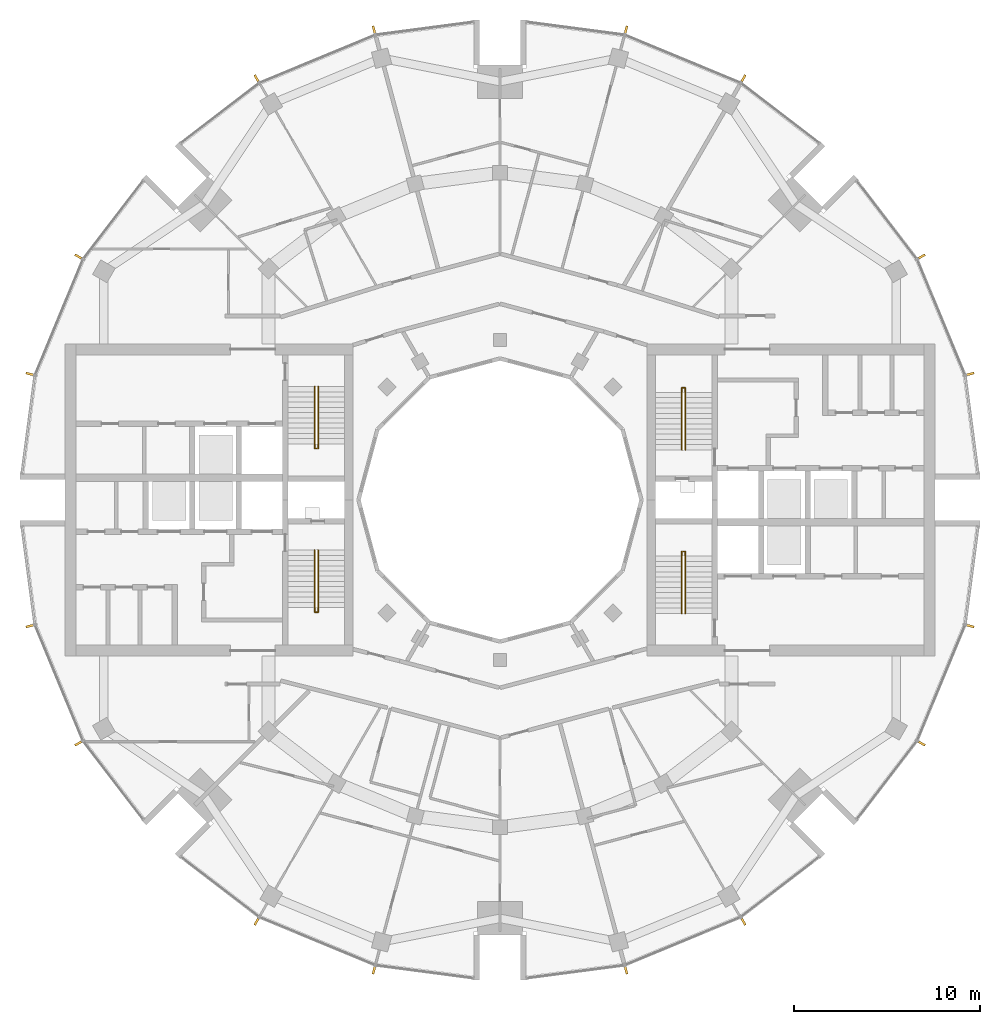
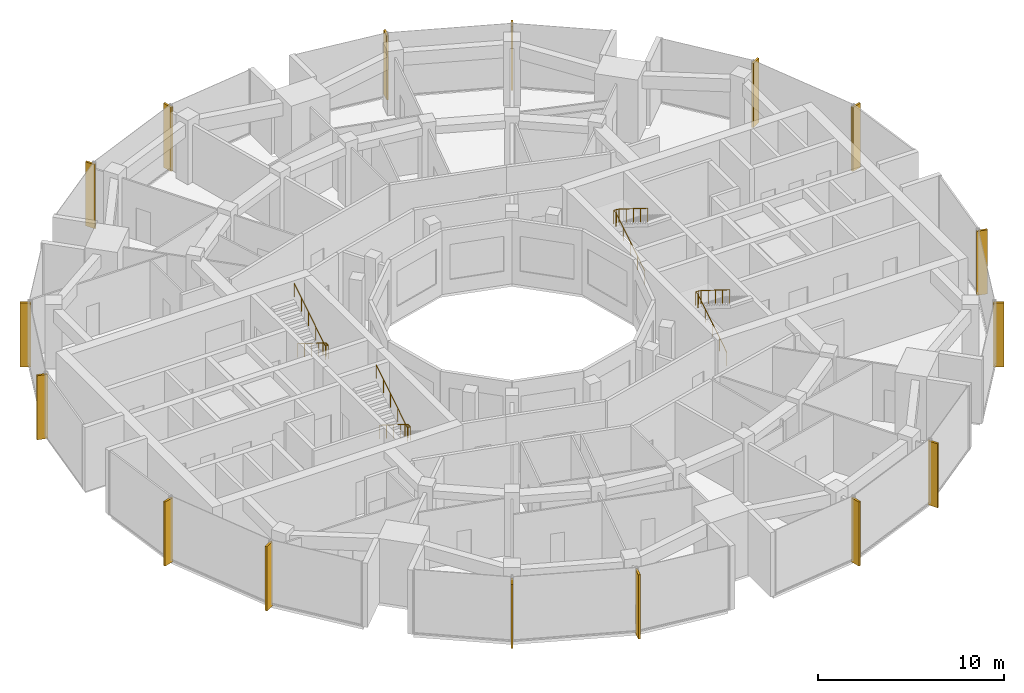
# One storey, part 14 of 15: 16 shading devices, 4 railings.
"""IFC4 building model written with IfcOpenShell, lengths in metres."""

from ifc_helpers import new_model, si_unit, direction, frame, origin, origin_2d, place, context, subcontext, project, spatial, rectangle, circle, extrude, material, material_profile, profile_set, type_object, element, save


model = new_model("IFC4")

# Units and contexts
model_context = context("Model", 3, precision=1e-05, world=origin(), true_north=direction((0.0, 1.0)))
body_context = subcontext(model_context, "Body", "Model", "MODEL_VIEW")
ifc_project = project(units=[si_unit("LENGTHUNIT", "METRE"), si_unit("AREAUNIT", "SQUARE_METRE"), si_unit("VOLUMEUNIT", "CUBIC_METRE"), si_unit("PLANEANGLEUNIT", "RADIAN"), si_unit("MASSUNIT", "GRAM", prefix="KILO")], contexts=[model_context])

# Site, building, storey
site_placement = place(None, origin())
site = spatial("IfcSite", under=ifc_project, at=site_placement, CompositionType="ELEMENT")
building_placement = place(site_placement, origin())
building = spatial("IfcBuilding", under=site, at=building_placement, Name="Torre Brocal", CompositionType="ELEMENT")
storey_placement = place(building_placement, frame((0.0, 0.0, 249.89990234375)))
storey = spatial("IfcBuildingStorey", under=building, at=storey_placement, Name="L57", CompositionType="ELEMENT", Elevation=249.89990234375)

# Shading devices
ifc_material_1 = material(Name="Aluminium, black anodised", Category="aluminium")
ifc_material_profile = material_profile(ifc_material_1, rectangle(XDim=0.1201171875, YDim=0.60009765625, at=origin_2d()), Name="FIN 120X600 4200 HIGH")
ifc_profile_set = profile_set([ifc_material_profile], Name="Aluminium, black anodised")
shading_device_type = type_object("IfcShadingDeviceType", Name="FIN 120X600 4200 HIGH", PredefinedType="USERDEFINED", material=ifc_profile_set)
for number, where, z_axis, x_axis, name in (
    (1, (105.208984375, 81.754638671875, -0.14990234375), (0.0, 0.0, 1.0), (-0.258819045103, 0.965925826289, 0.0), "FIN"),
    (2, (102.601806640625, 88.049072265625, -0.14990234375), (0.0, 0.0, 1.0), (-0.5, 0.866025403784, 0.0), "FIN"),
    (3, (93.049072265625, 97.601806640625, -0.14990234375), (0.0, 0.0, 1.0), (-0.866025403784, 0.5, 0.0), "FIN"),
    (4, (86.754638671875, 100.208984375, -0.14990234375), (0.0, 0.0, 1.0), (-0.965925826289, 0.258819045103, 0.0), "FIN"),
    (5, (73.245361328125, 100.208984375, -0.14990234375), (0.0, 0.0, 1.0), (-0.965925826289, -0.258819045103, 0.0), "FIN"),
    (6, (66.950927734375, 97.601806640625, -0.14990234375), (0.0, 0.0, 1.0), (-0.866025403784, -0.5, 0.0), "FIN"),
    (7, (57.398193359375, 88.049072265625, -0.14990234375), (0.0, 0.0, 1.0), (-0.5, -0.866025403784, 0.0), "FIN"),
    (8, (54.791015625, 81.754638671875, -0.14990234375), (0.0, 0.0, 1.0), (-0.258819045103, -0.965925826289, 0.0), "FIN"),
    (9, (54.791015625, 68.245361328125, -0.14990234375), (0.0, 0.0, 1.0), (0.258819045103, -0.965925826289, 0.0), "FIN"),
    (10, (57.398193359375, 61.950927734375, -0.14990234375), (0.0, 0.0, 1.0), (0.5, -0.866025403784, 0.0), "FIN"),
    (11, (66.950927734375, 52.398193359375, -0.14990234375), (0.0, 0.0, 1.0), (0.866025403784, -0.5, 0.0), "FIN"),
    (12, (73.245361328125, 49.791015625, -0.14990234375), (0.0, 0.0, 1.0), (0.965925826289, -0.258819045103, 0.0), "FIN"),
    (13, (86.754638671875, 49.791015625, -0.14990234375), (0.0, 0.0, 1.0), (0.965925826289, 0.258819045103, 0.0), "FIN"),
    (14, (93.049072265625, 52.398193359375, -0.14990234375), (0.0, 0.0, 1.0), (0.866025403784, 0.5, 0.0), "FIN"),
    (15, (102.601806640625, 61.950927734375, -0.14990234375), (0.0, 0.0, 1.0), (0.5, 0.866025403784, 0.0), "FIN"),
    (16, (105.208984375, 68.245361328125, -0.14990234375), (0.0, 0.0, 1.0), (0.258819045103, 0.965925826289, 0.0), "FIN"),
):
    element("IfcShadingDevice", number, at=place(storey_placement, frame(where, z_axis=z_axis, x_axis=x_axis)), inside=storey, type_object=shading_device_type, Name=name, ObjectType="FIN", PredefinedType="USERDEFINED", context=body_context, shape_type="SweptSolid", body=[
        extrude(rectangle(XDim=0.1201171875, YDim=0.60009765625, at=origin_2d()), origin(), (0.0, 0.0, 1.0), 4.199951171875),
    ])

# Railings
ifc_material_2 = material(Name="Stainless steel AISI 316", Category="steel")
railing_type = type_object("IfcRailingType", Name="STAIR HANDRAIL", PredefinedType="HANDRAIL", material=ifc_material_2)
railing_1_placement = place(storey_placement, frame((89.780029296875, 77.699951171875, 0.175048828125)))
element("IfcRailing", 17, at=railing_1_placement, inside=storey, type_object=railing_type, Name="HANDRAIL ST1", PredefinedType="HANDRAIL", context=body_context, shape_type="SweptSolid", body=[
    extrude(circle(Radius=0.02392578125, at=origin_2d()), frame((0.0, 0.0, 0.8759765625), z_axis=(0.0, 0.847998304005, 0.529998940003), x_axis=(-1.0, 0.0, 0.0)), (0.0, 0.0, 1.0), 3.632080078125),
    extrude(circle(Radius=0.02392578125, at=origin_2d()), frame((0.0, 3.080078125, 2.80078125), z_axis=(0.0, 1.0, 0.0), x_axis=(-1.0, 0.0, 0.0)), (0.0, 0.0, 1.0), 0.25),
    extrude(circle(Radius=0.02392578125, at=origin_2d()), frame((0.0, 3.330078125, 2.80078125), z_axis=(1.0, 0.0, 0.0), x_axis=(0.0, 1.0, 0.0)), (0.0, 0.0, 1.0), 0.18994140625),
    extrude(circle(Radius=0.02392578125, at=origin_2d()), frame((0.18994140625, 3.330078125, 2.80078125), z_axis=(0.0, -0.819156749665, 0.573569716318), x_axis=(1.0, 0.0, 0.0)), (0.0, 0.0, 1.0), 0.30517578125),
    extrude(circle(Radius=0.02392578125, at=origin_2d()), frame((0.18994140625, 3.080078125, 2.97607421875), z_axis=(0.0, -0.847998304005, 0.529998940003), x_axis=(1.0, 0.0, 0.0)), (0.0, 0.0, 1.0), 3.632080078125),
    extrude(circle(Radius=0.02099609375, at=origin_2d()), origin(), (0.0, 0.0, 1.0), 0.851806640625),
    extrude(circle(Radius=0.02099609375, at=origin_2d()), frame((0.0, 0.77001953125, 0.481201171875)), (0.0, 0.0, 1.0), 0.851806640625),
    extrude(circle(Radius=0.02099609375, at=origin_2d()), frame((0.0, 1.5400390625, 0.96240234375)), (0.0, 0.0, 1.0), 0.851806640625),
    extrude(circle(Radius=0.02099609375, at=origin_2d()), frame((0.0, 2.31005859375, 1.44384765625)), (0.0, 0.0, 1.0), 0.851806640625),
    extrude(circle(Radius=0.02099609375, at=origin_2d()), frame((0.0, 3.080078125, 1.925048828125)), (0.0, 0.0, 1.0), 0.851806640625),
    extrude(circle(Radius=0.02099609375, at=origin_2d()), frame((0.0, 3.330078125, 1.925048828125)), (0.0, 0.0, 1.0), 0.851806640625),
    extrude(circle(Radius=0.02099609375, at=origin_2d()), frame((0.18994140625, 3.330078125, 1.925048828125)), (0.0, 0.0, 1.0), 0.851806640625),
    extrude(circle(Radius=0.02099609375, at=origin_2d()), frame((0.18994140625, 3.080078125, 2.10009765625)), (0.0, 0.0, 1.0), 0.851806640625),
    extrude(circle(Radius=0.02099609375, at=origin_2d()), frame((0.18994140625, 2.31005859375, 2.581298828125)), (0.0, 0.0, 1.0), 0.851806640625),
    extrude(circle(Radius=0.02099609375, at=origin_2d()), frame((0.18994140625, 1.5400390625, 3.0625)), (0.0, 0.0, 1.0), 0.851806640625),
    extrude(circle(Radius=0.02099609375, at=origin_2d()), frame((0.18994140625, 0.77001953125, 3.5439453125)), (0.0, 0.0, 1.0), 0.851806640625),
    extrude(circle(Radius=0.02099609375, at=origin_2d()), frame((0.18994140625, 0.0, 4.025146484375)), (0.0, 0.0, 1.0), 0.851806640625),
])
railing_2_placement = place(storey_placement, frame((89.780029296875, 68.89990234375, 0.175048828125)))
element("IfcRailing", 18, at=railing_2_placement, inside=storey, type_object=railing_type, Name="HANDRAIL ST2", PredefinedType="HANDRAIL", context=body_context, shape_type="SweptSolid", body=[
    extrude(circle(Radius=0.02392578125, at=origin_2d()), frame((0.0, 0.0, 0.8759765625), z_axis=(0.0, 0.847998304005, 0.529998940003), x_axis=(-1.0, 0.0, 0.0)), (0.0, 0.0, 1.0), 3.632080078125),
    extrude(circle(Radius=0.02392578125, at=origin_2d()), frame((0.0, 3.080078125, 2.80078125), z_axis=(0.0, 1.0, 0.0), x_axis=(-1.0, 0.0, 0.0)), (0.0, 0.0, 1.0), 0.25),
    extrude(circle(Radius=0.02392578125, at=origin_2d()), frame((0.0, 3.330078125, 2.80078125), z_axis=(1.0, 0.0, 0.0), x_axis=(0.0, 1.0, 0.0)), (0.0, 0.0, 1.0), 0.18994140625),
    extrude(circle(Radius=0.02392578125, at=origin_2d()), frame((0.18994140625, 3.330078125, 2.80078125), z_axis=(0.0, -0.819156749665, 0.573569716318), x_axis=(1.0, 0.0, 0.0)), (0.0, 0.0, 1.0), 0.30517578125),
    extrude(circle(Radius=0.02392578125, at=origin_2d()), frame((0.18994140625, 3.080078125, 2.97607421875), z_axis=(0.0, -0.847998304005, 0.529998940003), x_axis=(1.0, 0.0, 0.0)), (0.0, 0.0, 1.0), 3.632080078125),
    extrude(circle(Radius=0.02099609375, at=origin_2d()), origin(), (0.0, 0.0, 1.0), 0.851806640625),
    extrude(circle(Radius=0.02099609375, at=origin_2d()), frame((0.0, 0.77001953125, 0.481201171875)), (0.0, 0.0, 1.0), 0.851806640625),
    extrude(circle(Radius=0.02099609375, at=origin_2d()), frame((0.0, 1.5400390625, 0.96240234375)), (0.0, 0.0, 1.0), 0.851806640625),
    extrude(circle(Radius=0.02099609375, at=origin_2d()), frame((0.0, 2.31005859375, 1.44384765625)), (0.0, 0.0, 1.0), 0.851806640625),
    extrude(circle(Radius=0.02099609375, at=origin_2d()), frame((0.0, 3.080078125, 1.925048828125)), (0.0, 0.0, 1.0), 0.851806640625),
    extrude(circle(Radius=0.02099609375, at=origin_2d()), frame((0.0, 3.330078125, 1.925048828125)), (0.0, 0.0, 1.0), 0.851806640625),
    extrude(circle(Radius=0.02099609375, at=origin_2d()), frame((0.18994140625, 3.330078125, 1.925048828125)), (0.0, 0.0, 1.0), 0.851806640625),
    extrude(circle(Radius=0.02099609375, at=origin_2d()), frame((0.18994140625, 3.080078125, 2.10009765625)), (0.0, 0.0, 1.0), 0.851806640625),
    extrude(circle(Radius=0.02099609375, at=origin_2d()), frame((0.18994140625, 2.31005859375, 2.581298828125)), (0.0, 0.0, 1.0), 0.851806640625),
    extrude(circle(Radius=0.02099609375, at=origin_2d()), frame((0.18994140625, 1.5400390625, 3.0625)), (0.0, 0.0, 1.0), 0.851806640625),
    extrude(circle(Radius=0.02099609375, at=origin_2d()), frame((0.18994140625, 0.77001953125, 3.5439453125)), (0.0, 0.0, 1.0), 0.851806640625),
    extrude(circle(Radius=0.02099609375, at=origin_2d()), frame((0.18994140625, 0.0, 4.025146484375)), (0.0, 0.0, 1.0), 0.851806640625),
])
railing_3_placement = place(storey_placement, frame((70.219970703125, 72.300048828125, 0.175048828125)))
element("IfcRailing", 19, at=railing_3_placement, inside=storey, type_object=railing_type, Name="HANDRAIL ST3", PredefinedType="HANDRAIL", context=body_context, shape_type="SweptSolid", body=[
    extrude(circle(Radius=0.02392578125, at=origin_2d()), frame((0.0, 0.0, 0.8759765625), z_axis=(0.0, -0.847998304005, 0.529998940003), x_axis=(1.0, 0.0, 0.0)), (0.0, 0.0, 1.0), 3.632080078125),
    extrude(circle(Radius=0.02392578125, at=origin_2d()), frame((0.0, -3.080078125, 2.80078125), z_axis=(0.0, -1.0, 0.0), x_axis=(1.0, 0.0, 0.0)), (0.0, 0.0, 1.0), 0.25),
    extrude(circle(Radius=0.02392578125, at=origin_2d()), frame((0.0, -3.330078125, 2.80078125), z_axis=(-1.0, 0.0, 0.0), x_axis=(0.0, -1.0, 0.0)), (0.0, 0.0, 1.0), 0.18994140625),
    extrude(circle(Radius=0.02392578125, at=origin_2d()), frame((-0.18994140625, -3.330078125, 2.80078125), z_axis=(0.0, 0.819156749665, 0.573569716318), x_axis=(-1.0, 0.0, 0.0)), (0.0, 0.0, 1.0), 0.30517578125),
    extrude(circle(Radius=0.02392578125, at=origin_2d()), frame((-0.18994140625, -3.080078125, 2.97607421875), z_axis=(0.0, 0.847998304005, 0.529998940003), x_axis=(-1.0, 0.0, 0.0)), (0.0, 0.0, 1.0), 3.632080078125),
    extrude(circle(Radius=0.02099609375, at=origin_2d()), origin(), (0.0, 0.0, 1.0), 0.851806640625),
    extrude(circle(Radius=0.02099609375, at=origin_2d()), frame((0.0, -0.77001953125, 0.481201171875)), (0.0, 0.0, 1.0), 0.851806640625),
    extrude(circle(Radius=0.02099609375, at=origin_2d()), frame((0.0, -1.5400390625, 0.96240234375)), (0.0, 0.0, 1.0), 0.851806640625),
    extrude(circle(Radius=0.02099609375, at=origin_2d()), frame((0.0, -2.31005859375, 1.44384765625)), (0.0, 0.0, 1.0), 0.851806640625),
    extrude(circle(Radius=0.02099609375, at=origin_2d()), frame((0.0, -3.080078125, 1.925048828125)), (0.0, 0.0, 1.0), 0.851806640625),
    extrude(circle(Radius=0.02099609375, at=origin_2d()), frame((0.0, -3.330078125, 1.925048828125)), (0.0, 0.0, 1.0), 0.851806640625),
    extrude(circle(Radius=0.02099609375, at=origin_2d()), frame((-0.18994140625, -3.330078125, 1.925048828125)), (0.0, 0.0, 1.0), 0.851806640625),
    extrude(circle(Radius=0.02099609375, at=origin_2d()), frame((-0.18994140625, -3.080078125, 2.10009765625)), (0.0, 0.0, 1.0), 0.851806640625),
    extrude(circle(Radius=0.02099609375, at=origin_2d()), frame((-0.18994140625, -2.31005859375, 2.581298828125)), (0.0, 0.0, 1.0), 0.851806640625),
    extrude(circle(Radius=0.02099609375, at=origin_2d()), frame((-0.18994140625, -1.5400390625, 3.0625)), (0.0, 0.0, 1.0), 0.851806640625),
    extrude(circle(Radius=0.02099609375, at=origin_2d()), frame((-0.18994140625, -0.77001953125, 3.5439453125)), (0.0, 0.0, 1.0), 0.851806640625),
    extrude(circle(Radius=0.02099609375, at=origin_2d()), frame((-0.18994140625, 0.0, 4.025146484375)), (0.0, 0.0, 1.0), 0.851806640625),
])
railing_4_placement = place(storey_placement, frame((70.219970703125, 81.10009765625, 0.175048828125)))
element("IfcRailing", 20, at=railing_4_placement, inside=storey, type_object=railing_type, Name="HANDRAIL ST4", PredefinedType="HANDRAIL", context=body_context, shape_type="SweptSolid", body=[
    extrude(circle(Radius=0.02392578125, at=origin_2d()), frame((0.0, 0.0, 0.8759765625), z_axis=(0.0, -0.847998304005, 0.529998940003), x_axis=(1.0, 0.0, 0.0)), (0.0, 0.0, 1.0), 3.632080078125),
    extrude(circle(Radius=0.02392578125, at=origin_2d()), frame((0.0, -3.080078125, 2.80078125), z_axis=(0.0, -1.0, 0.0), x_axis=(1.0, 0.0, 0.0)), (0.0, 0.0, 1.0), 0.25),
    extrude(circle(Radius=0.02392578125, at=origin_2d()), frame((0.0, -3.330078125, 2.80078125), z_axis=(-1.0, 0.0, 0.0), x_axis=(0.0, -1.0, 0.0)), (0.0, 0.0, 1.0), 0.18994140625),
    extrude(circle(Radius=0.02392578125, at=origin_2d()), frame((-0.18994140625, -3.330078125, 2.80078125), z_axis=(0.0, 0.819156749665, 0.573569716318), x_axis=(-1.0, 0.0, 0.0)), (0.0, 0.0, 1.0), 0.30517578125),
    extrude(circle(Radius=0.02392578125, at=origin_2d()), frame((-0.18994140625, -3.080078125, 2.97607421875), z_axis=(0.0, 0.847998304005, 0.529998940003), x_axis=(-1.0, 0.0, 0.0)), (0.0, 0.0, 1.0), 3.632080078125),
    extrude(circle(Radius=0.02099609375, at=origin_2d()), origin(), (0.0, 0.0, 1.0), 0.851806640625),
    extrude(circle(Radius=0.02099609375, at=origin_2d()), frame((0.0, -0.77001953125, 0.481201171875)), (0.0, 0.0, 1.0), 0.851806640625),
    extrude(circle(Radius=0.02099609375, at=origin_2d()), frame((0.0, -1.5400390625, 0.96240234375)), (0.0, 0.0, 1.0), 0.851806640625),
    extrude(circle(Radius=0.02099609375, at=origin_2d()), frame((0.0, -2.31005859375, 1.44384765625)), (0.0, 0.0, 1.0), 0.851806640625),
    extrude(circle(Radius=0.02099609375, at=origin_2d()), frame((0.0, -3.080078125, 1.925048828125)), (0.0, 0.0, 1.0), 0.851806640625),
    extrude(circle(Radius=0.02099609375, at=origin_2d()), frame((0.0, -3.330078125, 1.925048828125)), (0.0, 0.0, 1.0), 0.851806640625),
    extrude(circle(Radius=0.02099609375, at=origin_2d()), frame((-0.18994140625, -3.330078125, 1.925048828125)), (0.0, 0.0, 1.0), 0.851806640625),
    extrude(circle(Radius=0.02099609375, at=origin_2d()), frame((-0.18994140625, -3.080078125, 2.10009765625)), (0.0, 0.0, 1.0), 0.851806640625),
    extrude(circle(Radius=0.02099609375, at=origin_2d()), frame((-0.18994140625, -2.31005859375, 2.581298828125)), (0.0, 0.0, 1.0), 0.851806640625),
    extrude(circle(Radius=0.02099609375, at=origin_2d()), frame((-0.18994140625, -1.5400390625, 3.0625)), (0.0, 0.0, 1.0), 0.851806640625),
    extrude(circle(Radius=0.02099609375, at=origin_2d()), frame((-0.18994140625, -0.77001953125, 3.5439453125)), (0.0, 0.0, 1.0), 0.851806640625),
    extrude(circle(Radius=0.02099609375, at=origin_2d()), frame((-0.18994140625, 0.0, 4.025146484375)), (0.0, 0.0, 1.0), 0.851806640625),
])

save(model, "model.ifc")
